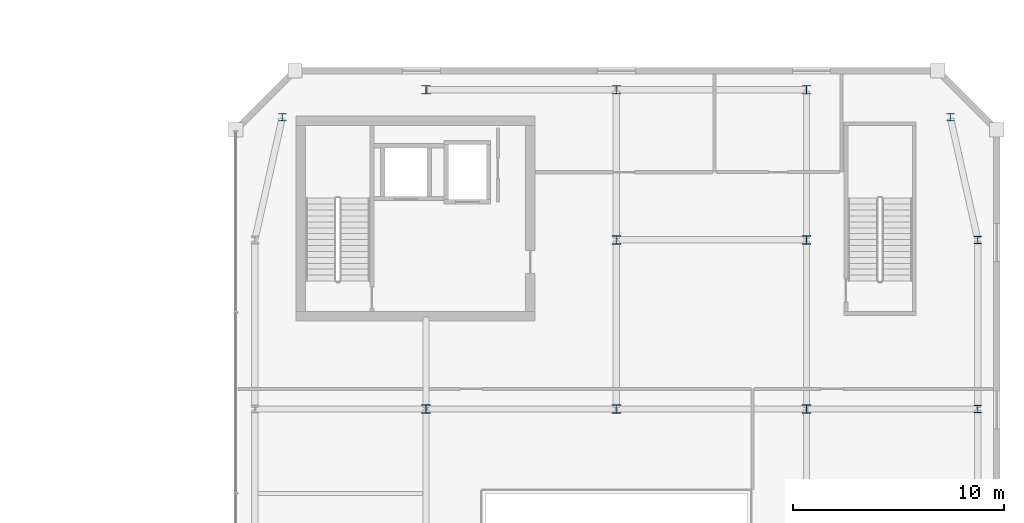
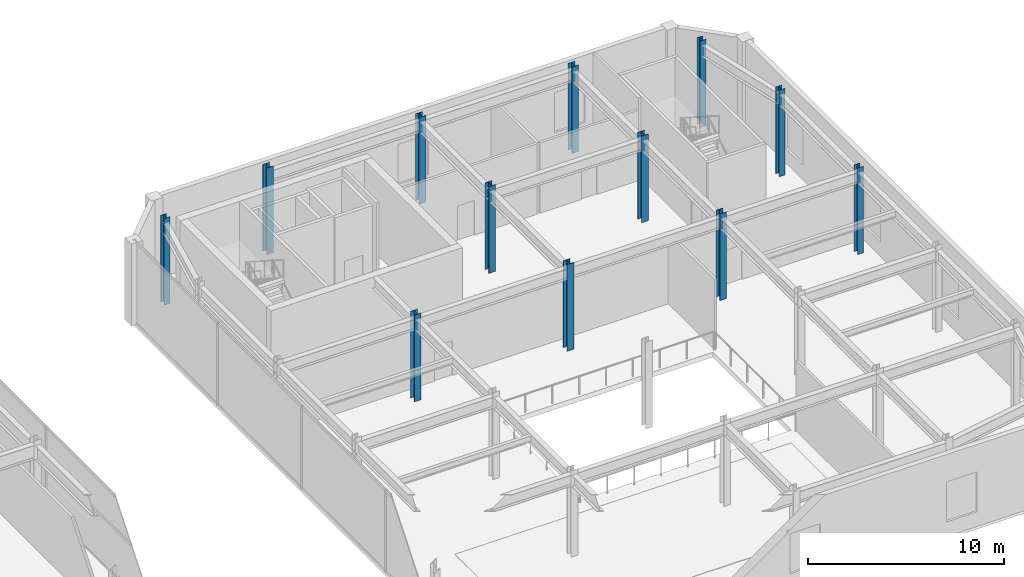
# One storey, part 7 of 52: 12 columns.
"""IFC4 building model written with IfcOpenShell, lengths in metres."""

from ifc_helpers import new_model, si_unit, direction, frame, origin, origin_2d, place, context, subcontext, project, spatial, i_section, extrude, material, material_profile, profile_set, type_object, element, save


model = new_model("IFC4")

# Units and contexts
model_context = context("Model", 3, precision=1e-05, world=origin(), true_north=direction((0.0, 1.0)))
body_context = subcontext(model_context, "Body", "Model", "MODEL_VIEW")
ifc_project = project(units=[si_unit("LENGTHUNIT", "METRE"), si_unit("AREAUNIT", "SQUARE_METRE"), si_unit("VOLUMEUNIT", "CUBIC_METRE"), si_unit("PLANEANGLEUNIT", "RADIAN"), si_unit("MASSUNIT", "GRAM", prefix="KILO")], contexts=[model_context])

# Site, building, storey
site_placement = place(None, origin())
site = spatial("IfcSite", under=ifc_project, at=site_placement, CompositionType="ELEMENT")
building_placement = place(site_placement, origin())
building = spatial("IfcBuilding", under=site, at=building_placement, Name="Saevonmaru Cultural Tower", CompositionType="ELEMENT")
storey_placement = place(building_placement, frame((0.0, 0.0, 11.39990234375)))
storey = spatial("IfcBuildingStorey", under=building, at=storey_placement, Name="L02", CompositionType="ELEMENT", Elevation=11.39990234375)

# Columns
ifc_material = material(Name="Steel SM355", Category="steel")
ifc_material_profile_1 = material_profile(ifc_material, i_section(OverallWidth=0.35009765625, OverallDepth=0.35009765625, WebThickness=0.011962890625, FlangeThickness=0.01904296875, FilletRadius=0.02001953125, at=origin_2d()), Name="H-350x350x12x19")
ifc_profile_set_1 = profile_set([ifc_material_profile_1], Name="Steel SM355")
column_type_1 = type_object("IfcColumnType", Name="COL-H-350", PredefinedType="COLUMN", material=ifc_profile_set_1)
for number, where, z_axis, x_axis, name in (
    (1, (74.39990234375, 45.800048828125, 0.0), (0.0, 0.0, 1.0), (1.0, 0.0, 0.0), "L02 Column LC-9-G"),
    (2, (107.300048828125, 32.0, 0.0), (0.0, 0.0, 1.0), (1.0, 0.0, 0.0), "L02 Column LC-13-E"),
    (3, (107.300048828125, 40.0, 0.0), (0.0, 0.0, 1.0), (1.0, 0.0, 0.0), "L02 Column LC-13-F"),
    (4, (106.0, 45.800048828125, 0.0), (0.0, 0.0, 1.0), (1.0, 0.0, 0.0), "L02 Column LC-13-G"),
):
    element("IfcColumn", number, at=place(storey_placement, frame(where, z_axis=z_axis, x_axis=x_axis)), inside=storey, type_object=column_type_1, Name=name, PredefinedType="COLUMN", context=body_context, shape_type="SweptSolid", body=[
        extrude(i_section(OverallWidth=0.35009765625, OverallDepth=0.35009765625, WebThickness=0.011962890625, FlangeThickness=0.01904296875, FilletRadius=0.02001953125, at=origin_2d()), origin(), (0.0, 0.0, 1.0), 5.400146484375),
    ])
ifc_material_profile_2 = material_profile(ifc_material, i_section(OverallWidth=0.39990234375, OverallDepth=0.39990234375, WebThickness=0.012939453125, FlangeThickness=0.02099609375, FilletRadius=0.02197265625, at=origin_2d()), Name="H-400x400x13x21")
ifc_profile_set_2 = profile_set([ifc_material_profile_2], Name="Steel SM355")
column_type_2 = type_object("IfcColumnType", Name="COL-H-400", PredefinedType="COLUMN", material=ifc_profile_set_2)
for number, where, z_axis, x_axis, name in (
    (5, (81.199951171875, 32.0, 0.0), (0.0, 0.0, 1.0), (1.0, 0.0, 0.0), "L02 Column LC-10-E"),
    (6, (81.199951171875, 47.10009765625, 0.0), (0.0, 0.0, 1.0), (1.0, 0.0, 0.0), "L02 Column LC-10-G"),
    (7, (90.199951171875, 32.0, 0.0), (0.0, 0.0, 1.0), (1.0, 0.0, 0.0), "L02 Column LC-11-E"),
    (8, (90.199951171875, 40.0, 0.0), (0.0, 0.0, 1.0), (1.0, 0.0, 0.0), "L02 Column LC-11-F"),
    (9, (90.199951171875, 47.10009765625, 0.0), (0.0, 0.0, 1.0), (1.0, 0.0, 0.0), "L02 Column LC-11-G"),
    (10, (99.199951171875, 32.0, 0.0), (0.0, 0.0, 1.0), (1.0, 0.0, 0.0), "L02 Column LC-12-E"),
    (11, (99.199951171875, 40.0, 0.0), (0.0, 0.0, 1.0), (1.0, 0.0, 0.0), "L02 Column LC-12-F"),
    (12, (99.199951171875, 47.10009765625, 0.0), (0.0, 0.0, 1.0), (1.0, 0.0, 0.0), "L02 Column LC-12-G"),
):
    element("IfcColumn", number, at=place(storey_placement, frame(where, z_axis=z_axis, x_axis=x_axis)), inside=storey, type_object=column_type_2, Name=name, PredefinedType="COLUMN", context=body_context, shape_type="SweptSolid", body=[
        extrude(i_section(OverallWidth=0.39990234375, OverallDepth=0.39990234375, WebThickness=0.012939453125, FlangeThickness=0.02099609375, FilletRadius=0.02197265625, at=origin_2d()), origin(), (0.0, 0.0, 1.0), 5.400146484375),
    ])

save(model, "model.ifc")
